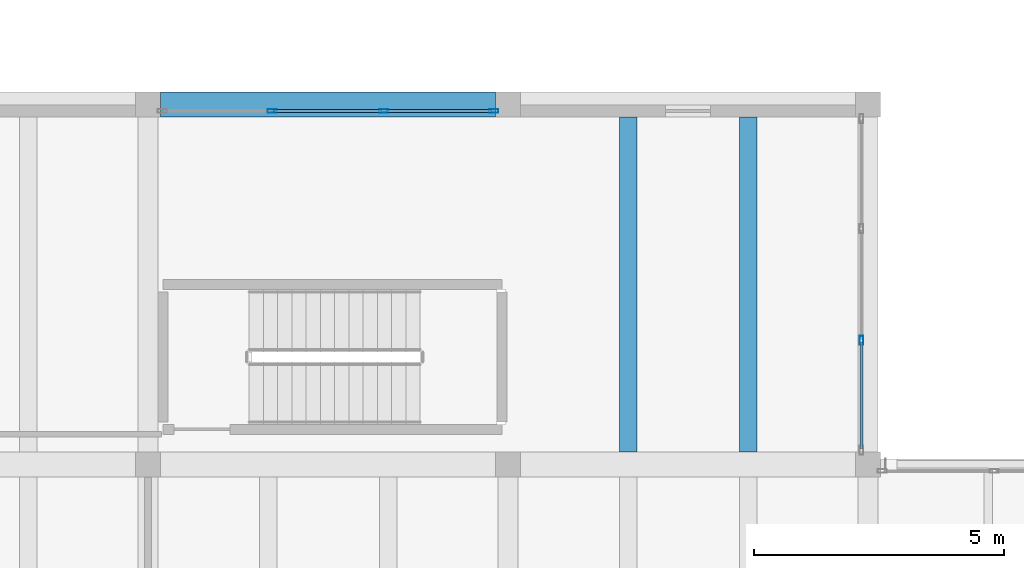
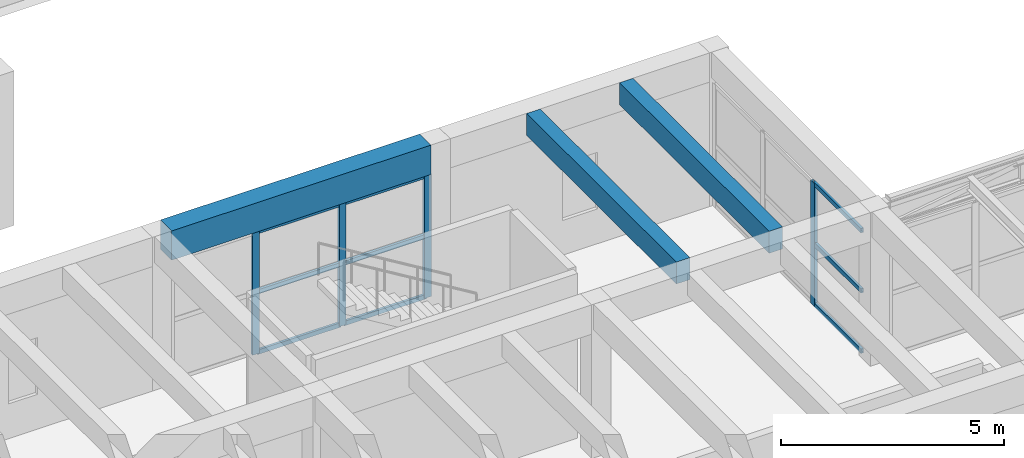
# One storey, part 19 of 153: 13 members, 3 beams, 2 elements without a shape of their own.
"""IFC4 building model written with IfcOpenShell, lengths in metres."""

from ifc_helpers import new_model, si_unit, direction, frame, origin, origin_2d, place, context, subcontext, project, spatial, rectangle, hollow_rectangle, extrude, material, material_profile, profile_set, type_object, element, aggregate, save


model = new_model("IFC4")

# Units and contexts
model_context = context("Model", 3, precision=1e-05, world=origin(), true_north=direction((0.0, 1.0)))
body_context = subcontext(model_context, "Body", "Model", "MODEL_VIEW")
ifc_project = project(units=[si_unit("LENGTHUNIT", "METRE"), si_unit("AREAUNIT", "SQUARE_METRE"), si_unit("VOLUMEUNIT", "CUBIC_METRE"), si_unit("PLANEANGLEUNIT", "RADIAN"), si_unit("MASSUNIT", "GRAM", prefix="KILO")], contexts=[model_context])

# Site, building, storey
site_placement = place(None, origin())
site = spatial("IfcSite", under=ifc_project, at=site_placement, CompositionType="ELEMENT")
building_placement = place(site_placement, origin())
building = spatial("IfcBuilding", under=site, at=building_placement, Name="Bramvelor Terrace Health Centre", CompositionType="ELEMENT")
storey_placement = place(building_placement, frame((0.0, 0.0, 4.800048828125)))
storey = spatial("IfcBuildingStorey", under=building, at=storey_placement, Name="L02", CompositionType="ELEMENT", Elevation=4.800048828125)

# Beams
ifc_material_1 = material(Name="Concrete C40/50", Category="concrete")
ifc_material_profile_1 = material_profile(ifc_material_1, rectangle(XDim=0.5, YDim=0.800048828125, at=origin_2d()), Name="RC 500x800")
ifc_profile_set_1 = profile_set([ifc_material_profile_1], Name="Concrete C40/50")
beam_type_1 = type_object("IfcBeamType", Name="BM-RC-G800", PredefinedType="BEAM", material=ifc_profile_set_1)
beam_placement = place(storey_placement, frame((14.64990234375, 64.800048828125, 3.800048828125), z_axis=(1.0, 0.0, 0.0), x_axis=(0.0, 1.0, 0.0)))
element("IfcBeam", 1, at=beam_placement, inside=storey, type_object=beam_type_1, Name="L02 Floor Girder", PredefinedType="BEAM", context=body_context, shape_type="SweptSolid", body=[
    extrude(rectangle(XDim=0.5, YDim=0.800048828125, at=origin_2d()), origin(), (0.0, 0.0, 1.0), 6.7001953125),
])
ifc_material_2 = material(Name="Concrete C40/50", Category="concrete")
ifc_material_profile_2 = material_profile(ifc_material_2, rectangle(XDim=0.35009765625, YDim=0.60009765625, at=origin_2d()), Name="RC 350x600")
ifc_profile_set_2 = profile_set([ifc_material_profile_2], Name="Concrete C40/50")
beam_type_2 = type_object("IfcBeamType", Name="BM-RC-J600", PredefinedType="JOIST", material=ifc_profile_set_2)
for number, where, z_axis, x_axis, name in (
    (2, (24.0, 57.85009765625, 3.89990234375), (0.0, 1.0, 0.0), (-1.0, 0.0, 0.0), "L02 Secondary Floor Joist"),
    (3, (26.39990234375, 57.85009765625, 3.89990234375), (0.0, 1.0, 0.0), (-1.0, 0.0, 0.0), "L02 Secondary Floor Joist"),
):
    element("IfcBeam", number, at=place(storey_placement, frame(where, z_axis=z_axis, x_axis=x_axis)), inside=storey, type_object=beam_type_2, Name=name, PredefinedType="JOIST", context=body_context, shape_type="SweptSolid", body=[
        extrude(rectangle(XDim=0.35009765625, YDim=0.60009765625, at=origin_2d()), origin(), (0.0, 0.0, 1.0), 6.699951171875),
    ])

# Curtain wall, members
ifc_material_3 = material(Name="Anodized aluminium and double low-E glass", Category="aluminium")
curtain_wall_type = type_object("IfcCurtainWallType", Name="CW-SYS-16", PredefinedType="NOTDEFINED", material=ifc_material_3)
curtain_wall_1_placement = place(storey_placement, origin())
curtain_wall_1 = element("IfcCurtainWall", 4, at=curtain_wall_1_placement, inside=storey, type_object=curtain_wall_type, Name="L02 Unitized Curtain Wall 129", PredefinedType="NOTDEFINED")
ifc_material_4 = material(Name="Anodized aluminium 6063-T6", Category="aluminium")
ifc_material_profile_3 = material_profile(ifc_material_4, hollow_rectangle(XDim=0.074951171875, YDim=0.179931640625, WallThickness=0.00341796875, at=origin_2d()), Name="ALU-MUL 75x180x3.5")
ifc_profile_set_3 = profile_set([ifc_material_profile_3], Name="Anodized aluminium 6063-T6")
member_type_1 = type_object("IfcMemberType", Name="CW-MUL-65x180", PredefinedType="MULLION", material=ifc_profile_set_3)
member_1_placement = place(storey_placement, frame((16.881591796875, 64.669921875, 0.0), z_axis=(0.0, 0.0, 1.0), x_axis=(0.0, 1.0, 0.0)))
member_1 = element("IfcMember", 5, at=member_1_placement, type_object=member_type_1, Name="CW-16 mullion 2", PredefinedType="MULLION", context=body_context, shape_type="SweptSolid", body=[
    extrude(hollow_rectangle(XDim=0.074951171875, YDim=0.179931640625, WallThickness=0.00341796875, at=origin_2d()), origin(), (0.0, 0.0, 1.0), 3.35986328125),
])
member_2_placement = place(storey_placement, frame((19.118408203125, 64.669921875, 0.0), z_axis=(0.0, 0.0, 1.0), x_axis=(0.0, 1.0, 0.0)))
member_2 = element("IfcMember", 6, at=member_2_placement, type_object=member_type_1, Name="CW-16 mullion 3", PredefinedType="MULLION", context=body_context, shape_type="SweptSolid", body=[
    extrude(hollow_rectangle(XDim=0.074951171875, YDim=0.179931640625, WallThickness=0.00341796875, at=origin_2d()), origin(), (0.0, 0.0, 1.0), 3.35986328125),
])
member_3_placement = place(storey_placement, frame((21.3173828125, 64.669921875, 0.0), z_axis=(0.0, 0.0, 1.0), x_axis=(0.0, 1.0, 0.0)))
member_3 = element("IfcMember", 7, at=member_3_placement, type_object=member_type_1, Name="CW-16 mullion 4", PredefinedType="MULLION", context=body_context, shape_type="SweptSolid", body=[
    extrude(hollow_rectangle(XDim=0.074951171875, YDim=0.179931640625, WallThickness=0.00341796875, at=origin_2d()), origin(), (0.0, 0.0, 1.0), 3.35986328125),
])

# Curtain wall, member
curtain_wall_2_placement = place(storey_placement, origin())
curtain_wall_2 = element("IfcCurtainWall", 8, at=curtain_wall_2_placement, inside=storey, type_object=curtain_wall_type, Name="L02 Unitized Curtain Wall 130", PredefinedType="NOTDEFINED")
member_4_placement = place(storey_placement, frame((28.669921875, 60.081787109375, 0.0), z_axis=(0.0, 0.0, 1.0), x_axis=(1.0, 0.0, 0.0)))
member_4 = element("IfcMember", 9, at=member_4_placement, type_object=member_type_1, Name="CW-16 mullion 3", PredefinedType="MULLION", context=body_context, shape_type="SweptSolid", body=[
    extrude(hollow_rectangle(XDim=0.074951171875, YDim=0.179931640625, WallThickness=0.00341796875, at=origin_2d()), origin(), (0.0, 0.0, 1.0), 3.35986328125),
])

# Member
ifc_material_5 = material(Name="Anodized aluminium 6063-T6", Category="aluminium")
ifc_material_profile_4 = material_profile(ifc_material_5, hollow_rectangle(XDim=0.06494140625, YDim=0.1201171875, WallThickness=0.0029296875, at=origin_2d()), Name="ALU-TRN 65x120x3.0")
ifc_profile_set_4 = profile_set([ifc_material_profile_4], Name="Anodized aluminium 6063-T6")
member_type_2 = type_object("IfcMemberType", Name="CW-TRN-65x150", PredefinedType="USERDEFINED", material=ifc_profile_set_4)
member_5_placement = place(storey_placement, frame((16.919189453125, 64.669921875, 0.032470703125), z_axis=(1.0, 0.0, 0.0), x_axis=(0.0, 1.0, 0.0)))
member_5 = element("IfcMember", 10, at=member_5_placement, type_object=member_type_2, Name="CW-16 transom 2.1", ObjectType="TRANSOM", PredefinedType="USERDEFINED", context=body_context, shape_type="SweptSolid", body=[
    extrude(hollow_rectangle(XDim=0.06494140625, YDim=0.1201171875, WallThickness=0.0029296875, at=origin_2d()), origin(), (0.0, 0.0, 1.0), 2.16162109375),
])

member_6_placement = place(storey_placement, frame((16.919189453125, 64.669921875, 1.679931640625), z_axis=(1.0, 0.0, 0.0), x_axis=(0.0, 1.0, 0.0)))
member_6 = element("IfcMember", 11, at=member_6_placement, type_object=member_type_2, Name="CW-16 transom 2.2", ObjectType="TRANSOM", PredefinedType="USERDEFINED", context=body_context, shape_type="SweptSolid", body=[
    extrude(hollow_rectangle(XDim=0.06494140625, YDim=0.1201171875, WallThickness=0.0029296875, at=origin_2d()), origin(), (0.0, 0.0, 1.0), 2.16162109375),
])

member_7_placement = place(storey_placement, frame((16.919189453125, 64.669921875, 3.327392578125), z_axis=(1.0, 0.0, 0.0), x_axis=(0.0, 1.0, 0.0)))
member_7 = element("IfcMember", 12, at=member_7_placement, type_object=member_type_2, Name="CW-16 transom 2.3", ObjectType="TRANSOM", PredefinedType="USERDEFINED", context=body_context, shape_type="SweptSolid", body=[
    extrude(hollow_rectangle(XDim=0.06494140625, YDim=0.1201171875, WallThickness=0.0029296875, at=origin_2d()), origin(), (0.0, 0.0, 1.0), 2.16162109375),
])

member_8_placement = place(storey_placement, frame((19.15576171875, 64.669921875, 0.032470703125), z_axis=(1.0, 0.0, 0.0), x_axis=(0.0, 1.0, 0.0)))
member_8 = element("IfcMember", 13, at=member_8_placement, type_object=member_type_2, Name="CW-16 transom 3.1", ObjectType="TRANSOM", PredefinedType="USERDEFINED", context=body_context, shape_type="SweptSolid", body=[
    extrude(hollow_rectangle(XDim=0.06494140625, YDim=0.1201171875, WallThickness=0.0029296875, at=origin_2d()), origin(), (0.0, 0.0, 1.0), 2.124267578125),
])

member_9_placement = place(storey_placement, frame((19.15576171875, 64.669921875, 1.679931640625), z_axis=(1.0, 0.0, 0.0), x_axis=(0.0, 1.0, 0.0)))
member_9 = element("IfcMember", 14, at=member_9_placement, type_object=member_type_2, Name="CW-16 transom 3.2", ObjectType="TRANSOM", PredefinedType="USERDEFINED", context=body_context, shape_type="SweptSolid", body=[
    extrude(hollow_rectangle(XDim=0.06494140625, YDim=0.1201171875, WallThickness=0.0029296875, at=origin_2d()), origin(), (0.0, 0.0, 1.0), 2.124267578125),
])

member_10_placement = place(storey_placement, frame((19.15576171875, 64.669921875, 3.327392578125), z_axis=(1.0, 0.0, 0.0), x_axis=(0.0, 1.0, 0.0)))
member_10 = element("IfcMember", 15, at=member_10_placement, type_object=member_type_2, Name="CW-16 transom 3.3", ObjectType="TRANSOM", PredefinedType="USERDEFINED", context=body_context, shape_type="SweptSolid", body=[
    extrude(hollow_rectangle(XDim=0.06494140625, YDim=0.1201171875, WallThickness=0.0029296875, at=origin_2d()), origin(), (0.0, 0.0, 1.0), 2.124267578125),
])

aggregate(curtain_wall_1, [member_1, member_2, member_3, member_5, member_6, member_7, member_8, member_9, member_10])

member_11_placement = place(storey_placement, frame((28.669921875, 60.044189453125, 0.032470703125), z_axis=(0.0, -1.0, 0.0), x_axis=(1.0, 0.0, 0.0)))
member_11 = element("IfcMember", 16, at=member_11_placement, type_object=member_type_2, Name="CW-16 transom 3.1", ObjectType="TRANSOM", PredefinedType="USERDEFINED", context=body_context, shape_type="SweptSolid", body=[
    extrude(hollow_rectangle(XDim=0.06494140625, YDim=0.1201171875, WallThickness=0.0029296875, at=origin_2d()), origin(), (0.0, 0.0, 1.0), 2.124267578125),
])

member_12_placement = place(storey_placement, frame((28.669921875, 60.044189453125, 1.679931640625), z_axis=(0.0, -1.0, 0.0), x_axis=(1.0, 0.0, 0.0)))
member_12 = element("IfcMember", 17, at=member_12_placement, type_object=member_type_2, Name="CW-16 transom 3.2", ObjectType="TRANSOM", PredefinedType="USERDEFINED", context=body_context, shape_type="SweptSolid", body=[
    extrude(hollow_rectangle(XDim=0.06494140625, YDim=0.1201171875, WallThickness=0.0029296875, at=origin_2d()), origin(), (0.0, 0.0, 1.0), 2.124267578125),
])

member_13_placement = place(storey_placement, frame((28.669921875, 60.044189453125, 3.327392578125), z_axis=(0.0, -1.0, 0.0), x_axis=(1.0, 0.0, 0.0)))
member_13 = element("IfcMember", 18, at=member_13_placement, type_object=member_type_2, Name="CW-16 transom 3.3", ObjectType="TRANSOM", PredefinedType="USERDEFINED", context=body_context, shape_type="SweptSolid", body=[
    extrude(hollow_rectangle(XDim=0.06494140625, YDim=0.1201171875, WallThickness=0.0029296875, at=origin_2d()), origin(), (0.0, 0.0, 1.0), 2.124267578125),
])

aggregate(curtain_wall_2, [member_4, member_11, member_12, member_13])

save(model, "model.ifc")
